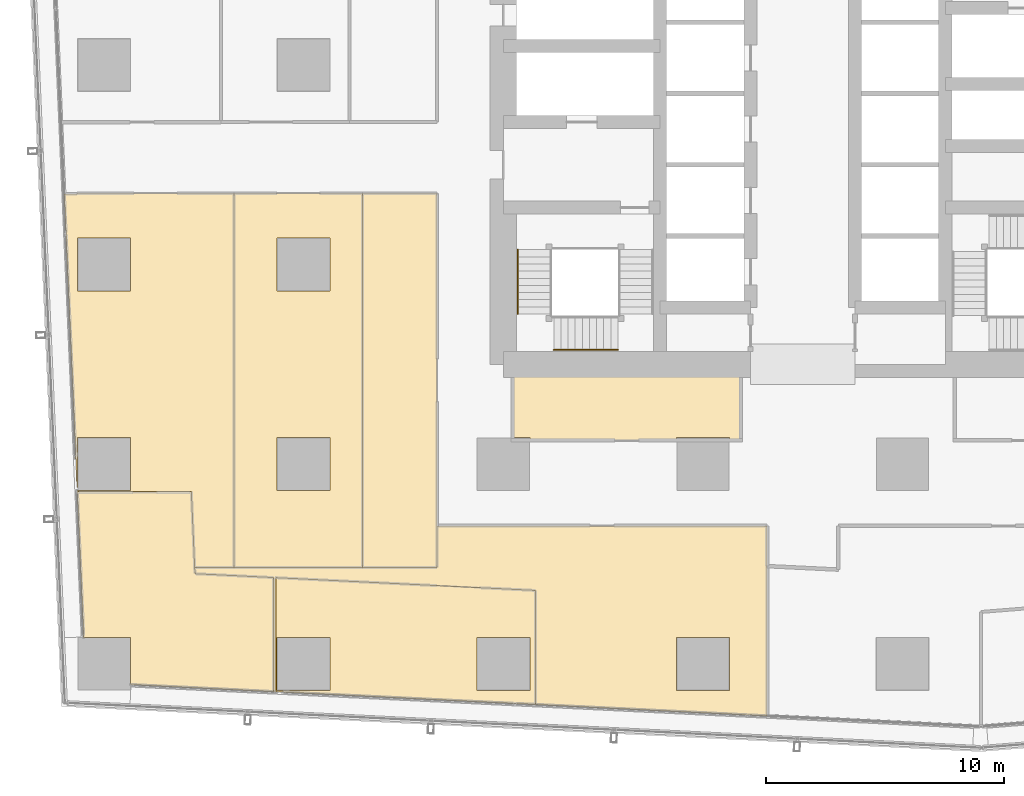
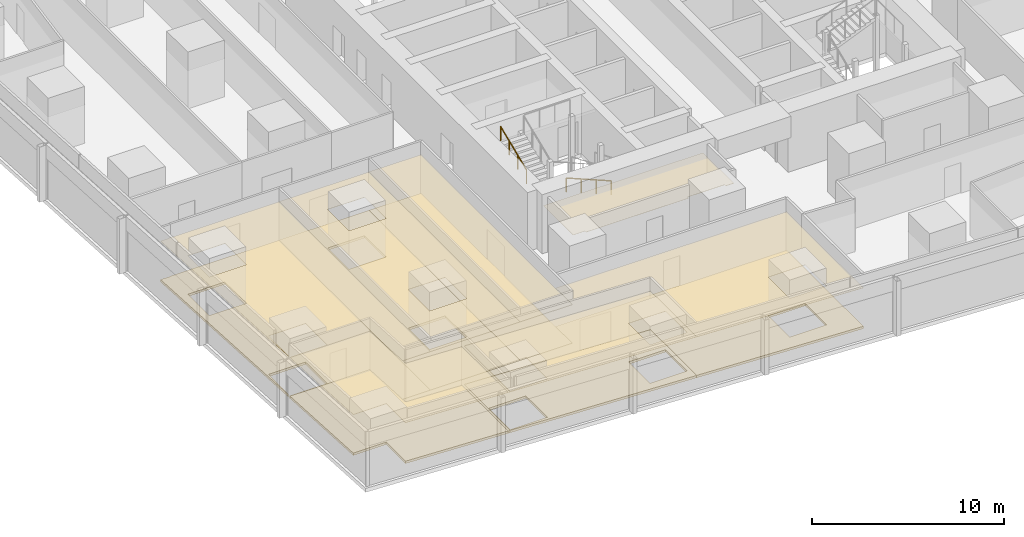
# One storey, part 36 of 44: 13 coverings, 2 railings.
"""IFC4 building model written with IfcOpenShell, lengths in metres."""

from ifc_helpers import new_model, si_unit, direction, frame, origin, origin_2d, place, context, subcontext, project, spatial, polyline, circle, outline, extrude, material, layer, layer_set, type_object, element, save


model = new_model("IFC4")

# Units and contexts
model_context = context("Model", 3, precision=1e-05, world=origin(), true_north=direction((0.0, 1.0)))
body_context = subcontext(model_context, "Body", "Model", "MODEL_VIEW")
ifc_project = project(units=[si_unit("LENGTHUNIT", "METRE"), si_unit("AREAUNIT", "SQUARE_METRE"), si_unit("VOLUMEUNIT", "CUBIC_METRE"), si_unit("PLANEANGLEUNIT", "RADIAN"), si_unit("MASSUNIT", "GRAM", prefix="KILO")], contexts=[model_context])

# Site, building, storey
site_placement = place(None, origin())
site = spatial("IfcSite", under=ifc_project, at=site_placement, CompositionType="ELEMENT")
building_placement = place(site_placement, origin())
building = spatial("IfcBuilding", under=site, at=building_placement, Name="Rekha Terrace Tower", CompositionType="ELEMENT")
storey_placement = place(building_placement, frame((0.0, 0.0, 51.64990234375)))
storey = spatial("IfcBuildingStorey", under=building, at=storey_placement, Name="L12", CompositionType="ELEMENT", Elevation=51.64990234375)

# Coverings
ifc_material_1 = material(Name="Mineral fibre tile in exposed grid", Category="finish")
ifc_layer_1 = layer(ifc_material_1, 0.02001953125)
ifc_layer_set_1 = layer_set([ifc_layer_1], Name="Mineral fibre tile in exposed grid")
covering_type_1 = type_object("IfcCoveringType", Name="CL1 600x1200 office grid ceiling", PredefinedType="CEILING", material=ifc_layer_set_1)
covering_1_placement = place(storey_placement, frame((0.0, 0.0, 2.580078125)))
element("IfcCovering", 1, at=covering_1_placement, inside=storey, type_object=covering_type_1, Name="Ceiling L12-21", PredefinedType="CEILING", context=body_context, shape_type="SweptSolid", body=[
    extrude(outline(polyline([(12.220947265625, 12.19091796875), (12.070068359375, 15.64306640625), (7.26611328125, 15.64306640625), (7.533935546875, 9.514892578125), (9.514892578125, 9.514892578125), (9.514892578125, 7.51806640625), (15.52392578125, 7.222900390625), (15.52392578125, 12.029052734375), (12.220947265625, 12.19091796875)])), origin(), (0.0, 0.0, 1.0), 0.02001953125),
])
covering_2_placement = place(storey_placement, frame((0.0, 0.0, 2.580078125)))
element("IfcCovering", 2, at=covering_2_placement, inside=storey, type_object=covering_type_1, Name="Ceiling L12-22", PredefinedType="CEILING", context=body_context, shape_type="SweptSolid", body=[
    extrude(outline(polyline([(26.547119140625, 6.680908203125), (26.547119140625, 11.487060546875), (15.64306640625, 12.02294921875), (15.64306640625, 7.217041015625), (26.547119140625, 6.680908203125)]), holes=[polyline([(26.31494140625, 9.514892578125), (26.31494140625, 7.284912109375), (24.0849609375, 7.284912109375), (24.0849609375, 9.514892578125), (26.31494140625, 9.514892578125)]), polyline([(17.9150390625, 7.284912109375), (15.68505859375, 7.284912109375), (15.68505859375, 9.514892578125), (17.9150390625, 9.514892578125), (17.9150390625, 7.284912109375)])]), origin(), (0.0, 0.0, 1.0), 0.02001953125),
])
covering_3_placement = place(storey_placement, frame((0.0, 0.0, 2.580078125)))
element("IfcCovering", 3, at=covering_3_placement, inside=storey, type_object=covering_type_1, Name="Ceiling L12-23", PredefinedType="CEILING", context=body_context, shape_type="SweptSolid", body=[
    extrude(outline(polyline([(7.258056640625, 15.820068359375), (7.284912109375, 15.820068359375), (7.284912109375, 17.9150390625), (9.514892578125, 17.9150390625), (9.514892578125, 15.68505859375), (7.263916015625, 15.68505859375), (7.26611328125, 15.64306640625), (12.070068359375, 15.64306640625), (12.2099609375, 12.4599609375), (13.865966796875, 12.4599609375), (13.865966796875, 28.199951171875), (7.26611328125, 28.199951171875), (7.26611328125, 28.175048828125), (6.718017578125, 28.175048828125), (7.258056640625, 15.820068359375)]), holes=[polyline([(9.514892578125, 24.0849609375), (7.284912109375, 24.0849609375), (7.284912109375, 26.31494140625), (9.514892578125, 26.31494140625), (9.514892578125, 24.0849609375)])]), origin(), (0.0, 0.0, 1.0), 0.02001953125),
])
covering_4_placement = place(storey_placement, frame((0.0, 0.0, 2.580078125)))
element("IfcCovering", 4, at=covering_4_placement, inside=storey, type_object=covering_type_1, Name="Ceiling L12-24", PredefinedType="CEILING", context=body_context, shape_type="SweptSolid", body=[
    extrude(outline(polyline([(13.865966796875, 12.4599609375), (19.26611328125, 12.4599609375), (19.26611328125, 28.199951171875), (13.865966796875, 28.199951171875), (13.865966796875, 12.4599609375)]), holes=[polyline([(17.9150390625, 15.68505859375), (15.68505859375, 15.68505859375), (15.68505859375, 17.9150390625), (17.9150390625, 17.9150390625), (17.9150390625, 15.68505859375)]), polyline([(17.9150390625, 24.0849609375), (15.68505859375, 24.0849609375), (15.68505859375, 26.31494140625), (17.9150390625, 26.31494140625), (17.9150390625, 24.0849609375)])]), origin(), (0.0, 0.0, 1.0), 0.02001953125),
])
covering_5_placement = place(storey_placement, frame((0.0, 0.0, 2.580078125)))
element("IfcCovering", 5, at=covering_5_placement, inside=storey, type_object=covering_type_1, Name="Ceiling L12-25", PredefinedType="CEILING", context=body_context, shape_type="SweptSolid", body=[
    extrude(outline(polyline([(19.26611328125, 12.4599609375), (22.39990234375, 12.4599609375), (22.39990234375, 28.199951171875), (19.26611328125, 28.199951171875), (19.26611328125, 12.4599609375)])), origin(), (0.0, 0.0, 1.0), 0.02001953125),
])
covering_6_placement = place(storey_placement, frame((0.0, 0.0, 2.580078125)))
element("IfcCovering", 6, at=covering_6_placement, inside=storey, type_object=covering_type_1, Name="Ceiling L12-O5", PredefinedType="CEILING", context=body_context, shape_type="SweptSolid", body=[
    extrude(outline(polyline([(22.39990234375, 12.4599609375), (12.2099609375, 12.4599609375), (12.220947265625, 12.19091796875), (15.52392578125, 12.029052734375), (15.52392578125, 7.222900390625), (15.64306640625, 7.217041015625), (15.64306640625, 12.02294921875), (26.547119140625, 11.487060546875), (26.547119140625, 6.680908203125), (36.299072265625, 6.202880859375), (36.299072265625, 14.199951171875), (22.39990234375, 14.199951171875), (22.39990234375, 12.4599609375)]), holes=[polyline([(34.715087890625, 7.284912109375), (32.485107421875, 7.284912109375), (32.485107421875, 9.514892578125), (34.715087890625, 9.514892578125), (34.715087890625, 7.284912109375)])]), origin(), (0.0, 0.0, 1.0), 0.02001953125),
])
ifc_material_2 = material(Name="Fibre cement board", Category="finish")
ifc_layer_2 = layer(ifc_material_2, 0.014892578125)
ifc_layer_set_2 = layer_set([ifc_layer_2], Name="Fibre cement board")
covering_type_2 = type_object("IfcCoveringType", Name="CL2 moisture-resistant board ceiling", PredefinedType="CEILING", material=ifc_layer_set_2)
covering_7_placement = place(storey_placement, frame((0.0, 0.0, 2.585205078125)))
element("IfcCovering", 7, at=covering_7_placement, inside=storey, type_object=covering_type_2, Name="Ceiling L12-WCM", PredefinedType="CEILING", context=body_context, shape_type="SweptSolid", body=[
    extrude(outline(polyline([(35.199951171875, 21.0), (25.60009765625, 21.0), (25.60009765625, 17.9150390625), (26.31494140625, 17.9150390625), (26.31494140625, 17.800048828125), (32.485107421875, 17.800048828125), (32.485107421875, 17.9150390625), (34.715087890625, 17.9150390625), (34.715087890625, 17.800048828125), (35.199951171875, 17.800048828125), (35.199951171875, 21.0)])), origin(), (0.0, 0.0, 1.0), 0.014892578125),
])

# Railings
ifc_material_3 = material(Name="Stainless steel tube", Category="steel")
railing_type = type_object("IfcRailingType", Name="HR1 900 stair handrail", PredefinedType="HANDRAIL", material=ifc_material_3)
railing_1_placement = place(storey_placement, frame((30.02490234375, 21.610107421875, 1.375)))
element("IfcRailing", 8, at=railing_1_placement, inside=storey, type_object=railing_type, Name="Handrail ST1 L12 flight 2", PredefinedType="HANDRAIL", context=body_context, shape_type="SweptSolid", body=[
    extrude(circle(Radius=0.02392578125, at=origin_2d()), frame((0.0, 0.0, 0.8759765625), z_axis=(-0.923074453586, 0.0, 0.384621311341), x_axis=(0.0, -1.0, 0.0)), (0.0, 0.0, 1.0), 2.925048828125),
    extrude(circle(Radius=0.02099609375, at=origin_2d()), origin(), (0.0, 0.0, 1.0), 0.851806640625),
    extrude(circle(Radius=0.02099609375, at=origin_2d()), frame((-0.89990234375, 0.0, 0.375)), (0.0, 0.0, 1.0), 0.851806640625),
    extrude(circle(Radius=0.02099609375, at=origin_2d()), frame((-1.800048828125, 0.0, 0.75)), (0.0, 0.0, 1.0), 0.851806640625),
    extrude(circle(Radius=0.02099609375, at=origin_2d()), frame((-2.699951171875, 0.0, 1.125)), (0.0, 0.0, 1.0), 0.851806640625),
])
railing_2_placement = place(storey_placement, frame((25.81005859375, 23.125, 2.625)))
element("IfcRailing", 9, at=railing_2_placement, inside=storey, type_object=railing_type, Name="Handrail ST1 L12 flight 3", PredefinedType="HANDRAIL", context=body_context, shape_type="SweptSolid", body=[
    extrude(circle(Radius=0.02392578125, at=origin_2d()), frame((0.0, 0.0, 0.8759765625), z_axis=(0.0, 0.923074453586, 0.384621311341), x_axis=(-1.0, 0.0, 0.0)), (0.0, 0.0, 1.0), 2.925048828125),
    extrude(circle(Radius=0.02099609375, at=origin_2d()), origin(), (0.0, 0.0, 1.0), 0.851806640625),
    extrude(circle(Radius=0.02099609375, at=origin_2d()), frame((0.0, 0.89990234375, 0.375)), (0.0, 0.0, 1.0), 0.851806640625),
    extrude(circle(Radius=0.02099609375, at=origin_2d()), frame((0.0, 1.800048828125, 0.75)), (0.0, 0.0, 1.0), 0.851806640625),
    extrude(circle(Radius=0.02099609375, at=origin_2d()), frame((0.0, 2.699951171875, 1.125)), (0.0, 0.0, 1.0), 0.851806640625),
])

# Coverings
ifc_material_4 = material(Name="Calcium sulphate panels on steel pedestals", Category="steel")
ifc_layer_3 = layer(ifc_material_4, 0.14990234375)
ifc_layer_set_3 = layer_set([ifc_layer_3], Name="Calcium sulphate panels on steel pedestals")
covering_type_3 = type_object("IfcCoveringType", Name="RF1 150 raised access floor", PredefinedType="FLOORING", material=ifc_layer_set_3)
covering_8_placement = place(storey_placement, origin())
element("IfcCovering", 10, at=covering_8_placement, inside=storey, type_object=covering_type_3, Name="Raised floor L12-21", PredefinedType="FLOORING", context=body_context, shape_type="SweptSolid", body=[
    extrude(outline(polyline([(12.220947265625, 12.19091796875), (12.070068359375, 15.64306640625), (7.26611328125, 15.64306640625), (7.533935546875, 9.514892578125), (9.514892578125, 9.514892578125), (9.514892578125, 7.51806640625), (15.52392578125, 7.222900390625), (15.52392578125, 12.029052734375), (12.220947265625, 12.19091796875)])), origin(), (0.0, 0.0, 1.0), 0.150146484375),
])
covering_9_placement = place(storey_placement, origin())
element("IfcCovering", 11, at=covering_9_placement, inside=storey, type_object=covering_type_3, Name="Raised floor L12-22", PredefinedType="FLOORING", context=body_context, shape_type="SweptSolid", body=[
    extrude(outline(polyline([(26.547119140625, 6.680908203125), (26.547119140625, 11.487060546875), (15.64306640625, 12.02294921875), (15.64306640625, 7.217041015625), (26.547119140625, 6.680908203125)]), holes=[polyline([(26.31494140625, 9.514892578125), (26.31494140625, 7.284912109375), (24.0849609375, 7.284912109375), (24.0849609375, 9.514892578125), (26.31494140625, 9.514892578125)]), polyline([(17.9150390625, 7.284912109375), (15.68505859375, 7.284912109375), (15.68505859375, 9.514892578125), (17.9150390625, 9.514892578125), (17.9150390625, 7.284912109375)])]), origin(), (0.0, 0.0, 1.0), 0.150146484375),
])
covering_10_placement = place(storey_placement, origin())
element("IfcCovering", 12, at=covering_10_placement, inside=storey, type_object=covering_type_3, Name="Raised floor L12-23", PredefinedType="FLOORING", context=body_context, shape_type="SweptSolid", body=[
    extrude(outline(polyline([(7.258056640625, 15.820068359375), (7.284912109375, 15.820068359375), (7.284912109375, 17.9150390625), (9.514892578125, 17.9150390625), (9.514892578125, 15.68505859375), (7.263916015625, 15.68505859375), (7.26611328125, 15.64306640625), (12.070068359375, 15.64306640625), (12.2099609375, 12.4599609375), (13.865966796875, 12.4599609375), (13.865966796875, 28.199951171875), (7.26611328125, 28.199951171875), (7.26611328125, 28.175048828125), (6.718017578125, 28.175048828125), (7.258056640625, 15.820068359375)]), holes=[polyline([(9.514892578125, 24.0849609375), (7.284912109375, 24.0849609375), (7.284912109375, 26.31494140625), (9.514892578125, 26.31494140625), (9.514892578125, 24.0849609375)])]), origin(), (0.0, 0.0, 1.0), 0.150146484375),
])
covering_11_placement = place(storey_placement, origin())
element("IfcCovering", 13, at=covering_11_placement, inside=storey, type_object=covering_type_3, Name="Raised floor L12-24", PredefinedType="FLOORING", context=body_context, shape_type="SweptSolid", body=[
    extrude(outline(polyline([(13.865966796875, 12.4599609375), (19.26611328125, 12.4599609375), (19.26611328125, 28.199951171875), (13.865966796875, 28.199951171875), (13.865966796875, 12.4599609375)]), holes=[polyline([(17.9150390625, 15.68505859375), (15.68505859375, 15.68505859375), (15.68505859375, 17.9150390625), (17.9150390625, 17.9150390625), (17.9150390625, 15.68505859375)]), polyline([(17.9150390625, 24.0849609375), (15.68505859375, 24.0849609375), (15.68505859375, 26.31494140625), (17.9150390625, 26.31494140625), (17.9150390625, 24.0849609375)])]), origin(), (0.0, 0.0, 1.0), 0.150146484375),
])
covering_12_placement = place(storey_placement, origin())
element("IfcCovering", 14, at=covering_12_placement, inside=storey, type_object=covering_type_3, Name="Raised floor L12-25", PredefinedType="FLOORING", context=body_context, shape_type="SweptSolid", body=[
    extrude(outline(polyline([(19.26611328125, 12.4599609375), (22.39990234375, 12.4599609375), (22.39990234375, 28.199951171875), (19.26611328125, 28.199951171875), (19.26611328125, 12.4599609375)])), origin(), (0.0, 0.0, 1.0), 0.150146484375),
])
covering_13_placement = place(storey_placement, origin())
element("IfcCovering", 15, at=covering_13_placement, inside=storey, type_object=covering_type_3, Name="Raised floor L12-O5", PredefinedType="FLOORING", context=body_context, shape_type="SweptSolid", body=[
    extrude(outline(polyline([(22.39990234375, 12.4599609375), (12.2099609375, 12.4599609375), (12.220947265625, 12.19091796875), (15.52392578125, 12.029052734375), (15.52392578125, 7.222900390625), (15.64306640625, 7.217041015625), (15.64306640625, 12.02294921875), (26.547119140625, 11.487060546875), (26.547119140625, 6.680908203125), (36.299072265625, 6.202880859375), (36.299072265625, 14.199951171875), (22.39990234375, 14.199951171875), (22.39990234375, 12.4599609375)]), holes=[polyline([(34.715087890625, 7.284912109375), (32.485107421875, 7.284912109375), (32.485107421875, 9.514892578125), (34.715087890625, 9.514892578125), (34.715087890625, 7.284912109375)])]), origin(), (0.0, 0.0, 1.0), 0.150146484375),
])

save(model, "model.ifc")
